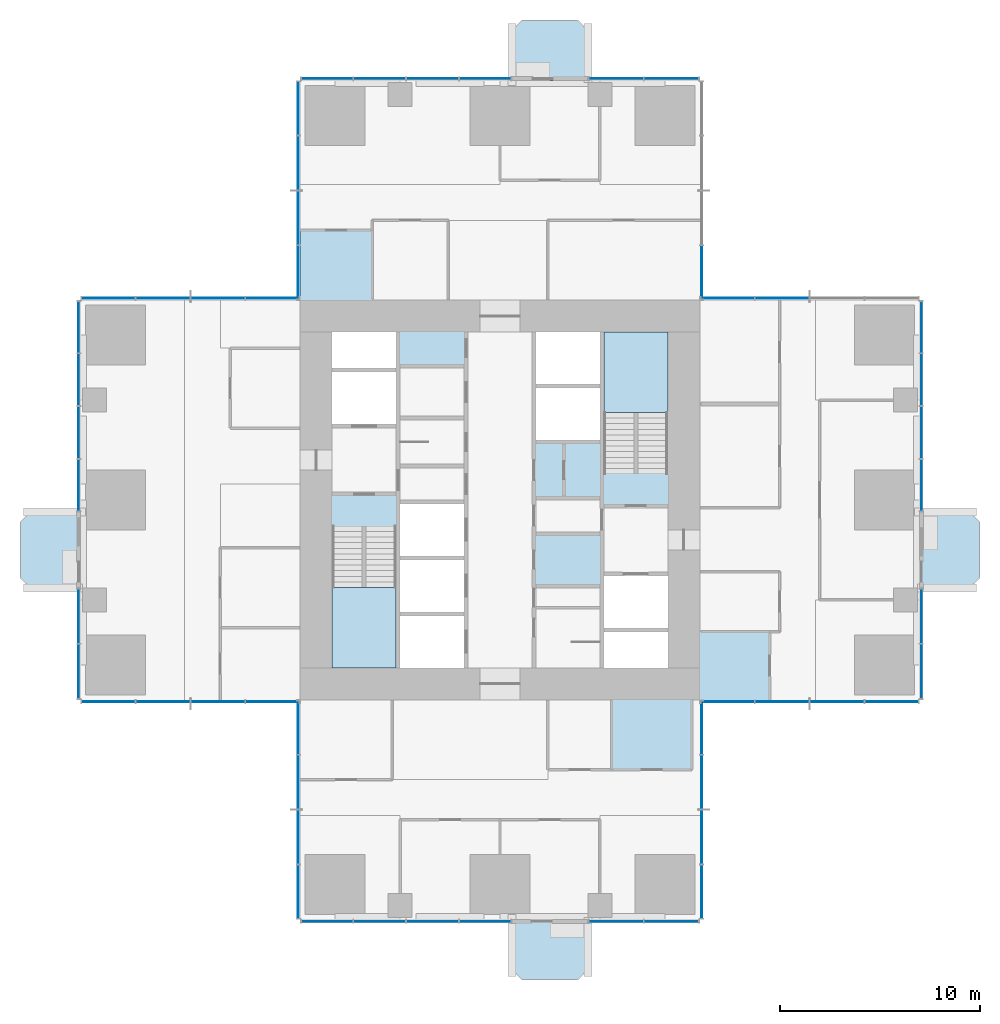
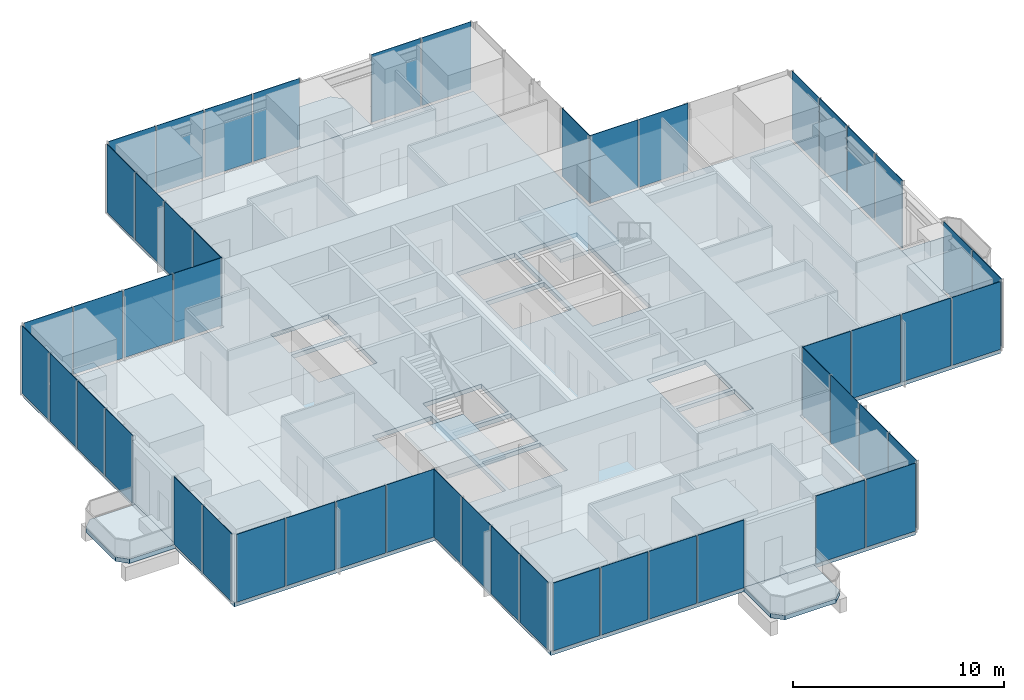
# One storey, part 7 of 13: 51 plates, 7 slabs, 18 elements without a shape of their own.
"""IFC4 building model written with IfcOpenShell, lengths in metres."""

from ifc_helpers import new_model, si_unit, direction, frame, origin, origin_2d, place, context, subcontext, project, spatial, polyline, rectangle, outline, extrude, material, layer, layer_set, type_object, element, aggregate, save


model = new_model("IFC4")

# Units and contexts
model_context = context("Model", 3, precision=1e-05, world=origin(), true_north=direction((0.0, 1.0)))
body_context = subcontext(model_context, "Body", "Model", "MODEL_VIEW")
ifc_project = project(units=[si_unit("LENGTHUNIT", "METRE"), si_unit("AREAUNIT", "SQUARE_METRE"), si_unit("VOLUMEUNIT", "CUBIC_METRE"), si_unit("PLANEANGLEUNIT", "RADIAN"), si_unit("MASSUNIT", "GRAM", prefix="KILO")], contexts=[model_context])

# Site, building, storey
site_placement = place(None, origin())
site = spatial("IfcSite", under=ifc_project, at=site_placement, CompositionType="ELEMENT")
building_placement = place(site_placement, origin())
building = spatial("IfcBuilding", under=site, at=building_placement, Name="Svetlomir Tower", CompositionType="ELEMENT")
storey_placement = place(building_placement, frame((0.0, 0.0, 120.5)))
storey = spatial("IfcBuildingStorey", under=building, at=storey_placement, Name="L28", CompositionType="ELEMENT", Elevation=120.5)

# Slabs
ifc_material_1 = material(Name="Concrete C60/75", Category="concrete")
ifc_layer_1 = layer(ifc_material_1, 0.25)
ifc_layer_set_1 = layer_set([ifc_layer_1], Name="Concrete C60/75")
slab_type_1 = type_object("IfcSlabType", Name="BALCONY SLAB 250", PredefinedType="FLOOR", material=ifc_layer_set_1)
slab_1_placement = place(storey_placement, frame((0.0, 0.0, -0.25)))
element("IfcSlab", 1, at=slab_1_placement, inside=storey, type_object=slab_type_1, Name="L28 S planted balcony", PredefinedType="FLOOR", context=body_context, shape_type="SweptSolid", body=[
    extrude(outline(polyline([(21.60009765625, -2.5), (22.10009765625, -3.0), (24.89990234375, -3.0), (25.39990234375, -2.5), (25.39990234375, 0.0), (21.60009765625, 0.0), (21.60009765625, -2.5)])), origin(), (0.0, 0.0, 1.0), 0.25),
])
slab_2_placement = place(storey_placement, frame((0.0, 0.0, -0.25)))
element("IfcSlab", 2, at=slab_2_placement, inside=storey, type_object=slab_type_1, Name="L28 E planted balcony", PredefinedType="FLOOR", context=body_context, shape_type="SweptSolid", body=[
    extrude(outline(polyline([(42.0, 16.60009765625), (44.5, 16.60009765625), (45.0, 17.10009765625), (45.0, 19.89990234375), (44.5, 20.39990234375), (42.0, 20.39990234375), (42.0, 16.60009765625)])), origin(), (0.0, 0.0, 1.0), 0.25),
])
slab_3_placement = place(storey_placement, frame((0.0, 0.0, -0.25)))
element("IfcSlab", 3, at=slab_3_placement, inside=storey, type_object=slab_type_1, Name="L28 N planted balcony", PredefinedType="FLOOR", context=body_context, shape_type="SweptSolid", body=[
    extrude(outline(polyline([(21.60009765625, 42.0), (25.39990234375, 42.0), (25.39990234375, 44.5), (24.89990234375, 45.0), (22.10009765625, 45.0), (21.60009765625, 44.5), (21.60009765625, 42.0)])), origin(), (0.0, 0.0, 1.0), 0.25),
])
slab_4_placement = place(storey_placement, frame((0.0, 0.0, -0.25)))
element("IfcSlab", 4, at=slab_4_placement, inside=storey, type_object=slab_type_1, Name="L28 W planted balcony", PredefinedType="FLOOR", context=body_context, shape_type="SweptSolid", body=[
    extrude(outline(polyline([(-2.5, 16.60009765625), (0.0, 16.60009765625), (0.0, 20.39990234375), (-2.5, 20.39990234375), (-3.0, 19.89990234375), (-3.0, 17.10009765625), (-2.5, 16.60009765625)])), origin(), (0.0, 0.0, 1.0), 0.25),
])

# Curtain wall, plates
ifc_material_2 = material(Name="Bronze anodised aluminium curtain wall", Category="aluminium")
curtain_wall_type = type_object("IfcCurtainWallType", Name="CURTAIN WALL CW1 TOWER OFFICE", PredefinedType="NOTDEFINED", material=ifc_material_2)
curtain_wall_1_placement = place(storey_placement, origin())
curtain_wall_1 = element("IfcCurtainWall", 5, at=curtain_wall_1_placement, inside=storey, type_object=curtain_wall_type, Name="Curtain wall CW1 L28", PredefinedType="NOTDEFINED")
ifc_material_3 = material(Name="Tinted double glazed unit", Category="glass")
ifc_layer_2 = layer(ifc_material_3, 0.031982421875)
ifc_layer_set_2 = layer_set([ifc_layer_2], Name="Tinted double glazed unit")
plate_type = type_object("IfcPlateType", Name="CW1 GLAZED PANEL 32", PredefinedType="CURTAIN_PANEL", material=ifc_layer_set_2)
plate_1_placement = place(storey_placement, frame((12.34130859375, -0.10009765625, 0.06494140625), z_axis=(0.0, 0.0, 1.0), x_axis=(1.0, 0.0, 0.0)))
plate_1 = element("IfcPlate", 6, at=plate_1_placement, type_object=plate_type, Name="CW1 panel 1.1", PredefinedType="CURTAIN_PANEL", context=body_context, shape_type="SweptSolid", body=[
    extrude(rectangle(XDim=2.552490234375, YDim=0.031982421875, at=origin_2d()), origin(), (0.0, 0.0, 1.0), 3.93505859375),
])
plate_2_placement = place(storey_placement, frame((14.97509765625, -0.10009765625, 0.06494140625), z_axis=(0.0, 0.0, 1.0), x_axis=(1.0, 0.0, 0.0)))
plate_2 = element("IfcPlate", 7, at=plate_2_placement, type_object=plate_type, Name="CW1 panel 2.1", PredefinedType="CURTAIN_PANEL", context=body_context, shape_type="SweptSolid", body=[
    extrude(rectangle(XDim=2.5849609375, YDim=0.031982421875, at=origin_2d()), origin(), (0.0, 0.0, 1.0), 3.93505859375),
])
plate_3_placement = place(storey_placement, frame((17.625, -0.10009765625, 0.06494140625), z_axis=(0.0, 0.0, 1.0), x_axis=(1.0, 0.0, 0.0)))
plate_3 = element("IfcPlate", 8, at=plate_3_placement, type_object=plate_type, Name="CW1 panel 3.1", PredefinedType="CURTAIN_PANEL", context=body_context, shape_type="SweptSolid", body=[
    extrude(rectangle(XDim=2.5849609375, YDim=0.031982421875, at=origin_2d()), origin(), (0.0, 0.0, 1.0), 3.93505859375),
])
plate_4_placement = place(storey_placement, frame((20.2587890625, -0.10009765625, 0.06494140625), z_axis=(0.0, 0.0, 1.0), x_axis=(1.0, 0.0, 0.0)))
plate_4 = element("IfcPlate", 9, at=plate_4_placement, type_object=plate_type, Name="CW1 panel 4.1", PredefinedType="CURTAIN_PANEL", context=body_context, shape_type="SweptSolid", body=[
    extrude(rectangle(XDim=2.552490234375, YDim=0.031982421875, at=origin_2d()), origin(), (0.0, 0.0, 1.0), 3.93505859375),
])
aggregate(curtain_wall_1, [plate_1, plate_2, plate_3, plate_4])

curtain_wall_2_placement = place(storey_placement, origin())
curtain_wall_2 = element("IfcCurtainWall", 10, at=curtain_wall_2_placement, inside=storey, type_object=curtain_wall_type, Name="Curtain wall CW1 L28", PredefinedType="NOTDEFINED")
plate_5_placement = place(storey_placement, frame((26.816162109375, -0.10009765625, 0.06494140625), z_axis=(0.0, 0.0, 1.0), x_axis=(1.0, 0.0, 0.0)))
plate_5 = element("IfcPlate", 11, at=plate_5_placement, type_object=plate_type, Name="CW1 panel 1.1", PredefinedType="CURTAIN_PANEL", context=body_context, shape_type="SweptSolid", body=[
    extrude(rectangle(XDim=2.702392578125, YDim=0.031982421875, at=origin_2d()), origin(), (0.0, 0.0, 1.0), 3.93505859375),
])
plate_6_placement = place(storey_placement, frame((29.583740234375, -0.10009765625, 0.06494140625), z_axis=(0.0, 0.0, 1.0), x_axis=(1.0, 0.0, 0.0)))
plate_6 = element("IfcPlate", 12, at=plate_6_placement, type_object=plate_type, Name="CW1 panel 2.1", PredefinedType="CURTAIN_PANEL", context=body_context, shape_type="SweptSolid", body=[
    extrude(rectangle(XDim=2.702392578125, YDim=0.031982421875, at=origin_2d()), origin(), (0.0, 0.0, 1.0), 3.93505859375),
])
aggregate(curtain_wall_2, [plate_5, plate_6])

curtain_wall_3_placement = place(storey_placement, origin())
curtain_wall_3 = element("IfcCurtainWall", 13, at=curtain_wall_3_placement, inside=storey, type_object=curtain_wall_type, Name="Curtain wall CW1 L28", PredefinedType="NOTDEFINED")
plate_7_placement = place(storey_placement, frame((31.10009765625, 1.391357421875, 0.06494140625), z_axis=(0.0, 0.0, 1.0), x_axis=(0.0, 1.0, 0.0)))
plate_7 = element("IfcPlate", 14, at=plate_7_placement, type_object=plate_type, Name="CW1 panel 1.1", PredefinedType="CURTAIN_PANEL", context=body_context, shape_type="SweptSolid", body=[
    extrude(rectangle(XDim=2.652587890625, YDim=0.031982421875, at=origin_2d()), origin(), (0.0, 0.0, 1.0), 3.93505859375),
])
plate_8_placement = place(storey_placement, frame((31.10009765625, 4.125, 0.06494140625), z_axis=(0.0, 0.0, 1.0), x_axis=(0.0, 1.0, 0.0)))
plate_8 = element("IfcPlate", 15, at=plate_8_placement, type_object=plate_type, Name="CW1 panel 2.1", PredefinedType="CURTAIN_PANEL", context=body_context, shape_type="SweptSolid", body=[
    extrude(rectangle(XDim=2.68505859375, YDim=0.031982421875, at=origin_2d()), origin(), (0.0, 0.0, 1.0), 3.93505859375),
])
plate_9_placement = place(storey_placement, frame((31.10009765625, 6.875, 0.06494140625), z_axis=(0.0, 0.0, 1.0), x_axis=(0.0, 1.0, 0.0)))
plate_9 = element("IfcPlate", 16, at=plate_9_placement, type_object=plate_type, Name="CW1 panel 3.1", PredefinedType="CURTAIN_PANEL", context=body_context, shape_type="SweptSolid", body=[
    extrude(rectangle(XDim=2.68505859375, YDim=0.031982421875, at=origin_2d()), origin(), (0.0, 0.0, 1.0), 3.93505859375),
])
plate_10_placement = place(storey_placement, frame((31.10009765625, 9.608642578125, 0.06494140625), z_axis=(0.0, 0.0, 1.0), x_axis=(0.0, 1.0, 0.0)))
plate_10 = element("IfcPlate", 17, at=plate_10_placement, type_object=plate_type, Name="CW1 panel 4.1", PredefinedType="CURTAIN_PANEL", context=body_context, shape_type="SweptSolid", body=[
    extrude(rectangle(XDim=2.652587890625, YDim=0.031982421875, at=origin_2d()), origin(), (0.0, 0.0, 1.0), 3.93505859375),
])
aggregate(curtain_wall_3, [plate_7, plate_8, plate_9, plate_10])

curtain_wall_4_placement = place(storey_placement, origin())
curtain_wall_4 = element("IfcCurtainWall", 18, at=curtain_wall_4_placement, inside=storey, type_object=curtain_wall_type, Name="Curtain wall CW1 L28", PredefinedType="NOTDEFINED")
plate_11_placement = place(storey_placement, frame((32.391357421875, 10.89990234375, 0.06494140625), z_axis=(0.0, 0.0, 1.0), x_axis=(1.0, 0.0, 0.0)))
plate_11 = element("IfcPlate", 19, at=plate_11_placement, type_object=plate_type, Name="CW1 panel 1.1", PredefinedType="CURTAIN_PANEL", context=body_context, shape_type="SweptSolid", body=[
    extrude(rectangle(XDim=2.652587890625, YDim=0.031982421875, at=origin_2d()), origin(), (0.0, 0.0, 1.0), 3.93505859375),
])
plate_12_placement = place(storey_placement, frame((35.125, 10.89990234375, 0.06494140625), z_axis=(0.0, 0.0, 1.0), x_axis=(1.0, 0.0, 0.0)))
plate_12 = element("IfcPlate", 20, at=plate_12_placement, type_object=plate_type, Name="CW1 panel 2.1", PredefinedType="CURTAIN_PANEL", context=body_context, shape_type="SweptSolid", body=[
    extrude(rectangle(XDim=2.68505859375, YDim=0.031982421875, at=origin_2d()), origin(), (0.0, 0.0, 1.0), 3.93505859375),
])
plate_13_placement = place(storey_placement, frame((37.875, 10.89990234375, 0.06494140625), z_axis=(0.0, 0.0, 1.0), x_axis=(1.0, 0.0, 0.0)))
plate_13 = element("IfcPlate", 21, at=plate_13_placement, type_object=plate_type, Name="CW1 panel 3.1", PredefinedType="CURTAIN_PANEL", context=body_context, shape_type="SweptSolid", body=[
    extrude(rectangle(XDim=2.68505859375, YDim=0.031982421875, at=origin_2d()), origin(), (0.0, 0.0, 1.0), 3.93505859375),
])
plate_14_placement = place(storey_placement, frame((40.608642578125, 10.89990234375, 0.06494140625), z_axis=(0.0, 0.0, 1.0), x_axis=(1.0, 0.0, 0.0)))
plate_14 = element("IfcPlate", 22, at=plate_14_placement, type_object=plate_type, Name="CW1 panel 4.1", PredefinedType="CURTAIN_PANEL", context=body_context, shape_type="SweptSolid", body=[
    extrude(rectangle(XDim=2.652587890625, YDim=0.031982421875, at=origin_2d()), origin(), (0.0, 0.0, 1.0), 3.93505859375),
])
aggregate(curtain_wall_4, [plate_11, plate_12, plate_13, plate_14])

curtain_wall_5_placement = place(storey_placement, origin())
curtain_wall_5 = element("IfcCurtainWall", 23, at=curtain_wall_5_placement, inside=storey, type_object=curtain_wall_type, Name="Curtain wall CW1 L28", PredefinedType="NOTDEFINED")
plate_15_placement = place(storey_placement, frame((42.10009765625, 12.416259765625, 0.06494140625), z_axis=(0.0, 0.0, 1.0), x_axis=(0.0, 1.0, 0.0)))
plate_15 = element("IfcPlate", 24, at=plate_15_placement, type_object=plate_type, Name="CW1 panel 1.1", PredefinedType="CURTAIN_PANEL", context=body_context, shape_type="SweptSolid", body=[
    extrude(rectangle(XDim=2.702392578125, YDim=0.031982421875, at=origin_2d()), origin(), (0.0, 0.0, 1.0), 3.93505859375),
])
plate_16_placement = place(storey_placement, frame((42.10009765625, 15.183837890625, 0.06494140625), z_axis=(0.0, 0.0, 1.0), x_axis=(0.0, 1.0, 0.0)))
plate_16 = element("IfcPlate", 25, at=plate_16_placement, type_object=plate_type, Name="CW1 panel 2.1", PredefinedType="CURTAIN_PANEL", context=body_context, shape_type="SweptSolid", body=[
    extrude(rectangle(XDim=2.702392578125, YDim=0.031982421875, at=origin_2d()), origin(), (0.0, 0.0, 1.0), 3.93505859375),
])
aggregate(curtain_wall_5, [plate_15, plate_16])

curtain_wall_6_placement = place(storey_placement, origin())
curtain_wall_6 = element("IfcCurtainWall", 26, at=curtain_wall_6_placement, inside=storey, type_object=curtain_wall_type, Name="Curtain wall CW1 L28", PredefinedType="NOTDEFINED")
plate_17_placement = place(storey_placement, frame((42.10009765625, 21.7412109375, 0.06494140625), z_axis=(0.0, 0.0, 1.0), x_axis=(0.0, 1.0, 0.0)))
plate_17 = element("IfcPlate", 27, at=plate_17_placement, type_object=plate_type, Name="CW1 panel 1.1", PredefinedType="CURTAIN_PANEL", context=body_context, shape_type="SweptSolid", body=[
    extrude(rectangle(XDim=2.552490234375, YDim=0.031982421875, at=origin_2d()), origin(), (0.0, 0.0, 1.0), 3.93505859375),
])
plate_18_placement = place(storey_placement, frame((42.10009765625, 24.375, 0.06494140625), z_axis=(0.0, 0.0, 1.0), x_axis=(0.0, 1.0, 0.0)))
plate_18 = element("IfcPlate", 28, at=plate_18_placement, type_object=plate_type, Name="CW1 panel 2.1", PredefinedType="CURTAIN_PANEL", context=body_context, shape_type="SweptSolid", body=[
    extrude(rectangle(XDim=2.5849609375, YDim=0.031982421875, at=origin_2d()), origin(), (0.0, 0.0, 1.0), 3.93505859375),
])
plate_19_placement = place(storey_placement, frame((42.10009765625, 27.02490234375, 0.06494140625), z_axis=(0.0, 0.0, 1.0), x_axis=(0.0, 1.0, 0.0)))
plate_19 = element("IfcPlate", 29, at=plate_19_placement, type_object=plate_type, Name="CW1 panel 3.1", PredefinedType="CURTAIN_PANEL", context=body_context, shape_type="SweptSolid", body=[
    extrude(rectangle(XDim=2.5849609375, YDim=0.031982421875, at=origin_2d()), origin(), (0.0, 0.0, 1.0), 3.93505859375),
])
plate_20_placement = place(storey_placement, frame((42.10009765625, 29.65869140625, 0.06494140625), z_axis=(0.0, 0.0, 1.0), x_axis=(0.0, 1.0, 0.0)))
plate_20 = element("IfcPlate", 30, at=plate_20_placement, type_object=plate_type, Name="CW1 panel 4.1", PredefinedType="CURTAIN_PANEL", context=body_context, shape_type="SweptSolid", body=[
    extrude(rectangle(XDim=2.552490234375, YDim=0.031982421875, at=origin_2d()), origin(), (0.0, 0.0, 1.0), 3.93505859375),
])
aggregate(curtain_wall_6, [plate_17, plate_18, plate_19, plate_20])

curtain_wall_7_placement = place(storey_placement, origin())
curtain_wall_7 = element("IfcCurtainWall", 31, at=curtain_wall_7_placement, inside=storey, type_object=curtain_wall_type, Name="Curtain wall CW1 L28", PredefinedType="NOTDEFINED")
plate_21_placement = place(storey_placement, frame((35.125, 31.10009765625, 0.06494140625), z_axis=(0.0, 0.0, 1.0), x_axis=(-1.0, 0.0, 0.0)))
plate_21 = element("IfcPlate", 32, at=plate_21_placement, type_object=plate_type, Name="CW1 panel 3.1", PredefinedType="CURTAIN_PANEL", context=body_context, shape_type="SweptSolid", body=[
    extrude(rectangle(XDim=2.68505859375, YDim=0.031982421875, at=origin_2d()), origin(), (0.0, 0.0, 1.0), 3.93505859375),
])
plate_22_placement = place(storey_placement, frame((32.391357421875, 31.10009765625, 0.06494140625), z_axis=(0.0, 0.0, 1.0), x_axis=(-1.0, 0.0, 0.0)))
plate_22 = element("IfcPlate", 33, at=plate_22_placement, type_object=plate_type, Name="CW1 panel 4.1", PredefinedType="CURTAIN_PANEL", context=body_context, shape_type="SweptSolid", body=[
    extrude(rectangle(XDim=2.652587890625, YDim=0.031982421875, at=origin_2d()), origin(), (0.0, 0.0, 1.0), 3.93505859375),
])
aggregate(curtain_wall_7, [plate_21, plate_22])

# Curtain wall, plate
curtain_wall_8_placement = place(storey_placement, origin())
curtain_wall_8 = element("IfcCurtainWall", 34, at=curtain_wall_8_placement, inside=storey, type_object=curtain_wall_type, Name="Curtain wall CW1 L28", PredefinedType="NOTDEFINED")
plate_23_placement = place(storey_placement, frame((31.10009765625, 32.391357421875, 0.06494140625), z_axis=(0.0, 0.0, 1.0), x_axis=(0.0, 1.0, 0.0)))
plate_23 = element("IfcPlate", 35, at=plate_23_placement, type_object=plate_type, Name="CW1 panel 1.1", PredefinedType="CURTAIN_PANEL", context=body_context, shape_type="SweptSolid", body=[
    extrude(rectangle(XDim=2.652587890625, YDim=0.031982421875, at=origin_2d()), origin(), (0.0, 0.0, 1.0), 3.93505859375),
])
aggregate(curtain_wall_8, [plate_23])

# Curtain wall, plates
curtain_wall_9_placement = place(storey_placement, origin())
curtain_wall_9 = element("IfcCurtainWall", 36, at=curtain_wall_9_placement, inside=storey, type_object=curtain_wall_type, Name="Curtain wall CW1 L28", PredefinedType="NOTDEFINED")
plate_24_placement = place(storey_placement, frame((29.583740234375, 42.10009765625, 0.06494140625), z_axis=(0.0, 0.0, 1.0), x_axis=(-1.0, 0.0, 0.0)))
plate_24 = element("IfcPlate", 37, at=plate_24_placement, type_object=plate_type, Name="CW1 panel 1.1", PredefinedType="CURTAIN_PANEL", context=body_context, shape_type="SweptSolid", body=[
    extrude(rectangle(XDim=2.702392578125, YDim=0.031982421875, at=origin_2d()), origin(), (0.0, 0.0, 1.0), 3.93505859375),
])
plate_25_placement = place(storey_placement, frame((26.816162109375, 42.10009765625, 0.06494140625), z_axis=(0.0, 0.0, 1.0), x_axis=(-1.0, 0.0, 0.0)))
plate_25 = element("IfcPlate", 38, at=plate_25_placement, type_object=plate_type, Name="CW1 panel 2.1", PredefinedType="CURTAIN_PANEL", context=body_context, shape_type="SweptSolid", body=[
    extrude(rectangle(XDim=2.702392578125, YDim=0.031982421875, at=origin_2d()), origin(), (0.0, 0.0, 1.0), 3.93505859375),
])
aggregate(curtain_wall_9, [plate_24, plate_25])

curtain_wall_10_placement = place(storey_placement, origin())
curtain_wall_10 = element("IfcCurtainWall", 39, at=curtain_wall_10_placement, inside=storey, type_object=curtain_wall_type, Name="Curtain wall CW1 L28", PredefinedType="NOTDEFINED")
plate_26_placement = place(storey_placement, frame((20.2587890625, 42.10009765625, 0.06494140625), z_axis=(0.0, 0.0, 1.0), x_axis=(-1.0, 0.0, 0.0)))
plate_26 = element("IfcPlate", 40, at=plate_26_placement, type_object=plate_type, Name="CW1 panel 1.1", PredefinedType="CURTAIN_PANEL", context=body_context, shape_type="SweptSolid", body=[
    extrude(rectangle(XDim=2.552490234375, YDim=0.031982421875, at=origin_2d()), origin(), (0.0, 0.0, 1.0), 3.93505859375),
])
plate_27_placement = place(storey_placement, frame((17.625, 42.10009765625, 0.06494140625), z_axis=(0.0, 0.0, 1.0), x_axis=(-1.0, 0.0, 0.0)))
plate_27 = element("IfcPlate", 41, at=plate_27_placement, type_object=plate_type, Name="CW1 panel 2.1", PredefinedType="CURTAIN_PANEL", context=body_context, shape_type="SweptSolid", body=[
    extrude(rectangle(XDim=2.5849609375, YDim=0.031982421875, at=origin_2d()), origin(), (0.0, 0.0, 1.0), 3.93505859375),
])
plate_28_placement = place(storey_placement, frame((14.97509765625, 42.10009765625, 0.06494140625), z_axis=(0.0, 0.0, 1.0), x_axis=(-1.0, 0.0, 0.0)))
plate_28 = element("IfcPlate", 42, at=plate_28_placement, type_object=plate_type, Name="CW1 panel 3.1", PredefinedType="CURTAIN_PANEL", context=body_context, shape_type="SweptSolid", body=[
    extrude(rectangle(XDim=2.5849609375, YDim=0.031982421875, at=origin_2d()), origin(), (0.0, 0.0, 1.0), 3.93505859375),
])
plate_29_placement = place(storey_placement, frame((12.34130859375, 42.10009765625, 0.06494140625), z_axis=(0.0, 0.0, 1.0), x_axis=(-1.0, 0.0, 0.0)))
plate_29 = element("IfcPlate", 43, at=plate_29_placement, type_object=plate_type, Name="CW1 panel 4.1", PredefinedType="CURTAIN_PANEL", context=body_context, shape_type="SweptSolid", body=[
    extrude(rectangle(XDim=2.552490234375, YDim=0.031982421875, at=origin_2d()), origin(), (0.0, 0.0, 1.0), 3.93505859375),
])
aggregate(curtain_wall_10, [plate_26, plate_27, plate_28, plate_29])

curtain_wall_11_placement = place(storey_placement, origin())
curtain_wall_11 = element("IfcCurtainWall", 44, at=curtain_wall_11_placement, inside=storey, type_object=curtain_wall_type, Name="Curtain wall CW1 L28", PredefinedType="NOTDEFINED")
plate_30_placement = place(storey_placement, frame((10.89990234375, 40.608642578125, 0.06494140625), z_axis=(0.0, 0.0, 1.0), x_axis=(0.0, -1.0, 0.0)))
plate_30 = element("IfcPlate", 45, at=plate_30_placement, type_object=plate_type, Name="CW1 panel 1.1", PredefinedType="CURTAIN_PANEL", context=body_context, shape_type="SweptSolid", body=[
    extrude(rectangle(XDim=2.652587890625, YDim=0.031982421875, at=origin_2d()), origin(), (0.0, 0.0, 1.0), 3.93505859375),
])
plate_31_placement = place(storey_placement, frame((10.89990234375, 37.875, 0.06494140625), z_axis=(0.0, 0.0, 1.0), x_axis=(0.0, -1.0, 0.0)))
plate_31 = element("IfcPlate", 46, at=plate_31_placement, type_object=plate_type, Name="CW1 panel 2.1", PredefinedType="CURTAIN_PANEL", context=body_context, shape_type="SweptSolid", body=[
    extrude(rectangle(XDim=2.68505859375, YDim=0.031982421875, at=origin_2d()), origin(), (0.0, 0.0, 1.0), 3.93505859375),
])
plate_32_placement = place(storey_placement, frame((10.89990234375, 35.125, 0.06494140625), z_axis=(0.0, 0.0, 1.0), x_axis=(0.0, -1.0, 0.0)))
plate_32 = element("IfcPlate", 47, at=plate_32_placement, type_object=plate_type, Name="CW1 panel 3.1", PredefinedType="CURTAIN_PANEL", context=body_context, shape_type="SweptSolid", body=[
    extrude(rectangle(XDim=2.68505859375, YDim=0.031982421875, at=origin_2d()), origin(), (0.0, 0.0, 1.0), 3.93505859375),
])
plate_33_placement = place(storey_placement, frame((10.89990234375, 32.391357421875, 0.06494140625), z_axis=(0.0, 0.0, 1.0), x_axis=(0.0, -1.0, 0.0)))
plate_33 = element("IfcPlate", 48, at=plate_33_placement, type_object=plate_type, Name="CW1 panel 4.1", PredefinedType="CURTAIN_PANEL", context=body_context, shape_type="SweptSolid", body=[
    extrude(rectangle(XDim=2.652587890625, YDim=0.031982421875, at=origin_2d()), origin(), (0.0, 0.0, 1.0), 3.93505859375),
])
aggregate(curtain_wall_11, [plate_30, plate_31, plate_32, plate_33])

curtain_wall_12_placement = place(storey_placement, origin())
curtain_wall_12 = element("IfcCurtainWall", 49, at=curtain_wall_12_placement, inside=storey, type_object=curtain_wall_type, Name="Curtain wall CW1 L28", PredefinedType="NOTDEFINED")
plate_34_placement = place(storey_placement, frame((9.608642578125, 31.10009765625, 0.06494140625), z_axis=(0.0, 0.0, 1.0), x_axis=(-1.0, 0.0, 0.0)))
plate_34 = element("IfcPlate", 50, at=plate_34_placement, type_object=plate_type, Name="CW1 panel 1.1", PredefinedType="CURTAIN_PANEL", context=body_context, shape_type="SweptSolid", body=[
    extrude(rectangle(XDim=2.652587890625, YDim=0.031982421875, at=origin_2d()), origin(), (0.0, 0.0, 1.0), 3.93505859375),
])
plate_35_placement = place(storey_placement, frame((6.875, 31.10009765625, 0.06494140625), z_axis=(0.0, 0.0, 1.0), x_axis=(-1.0, 0.0, 0.0)))
plate_35 = element("IfcPlate", 51, at=plate_35_placement, type_object=plate_type, Name="CW1 panel 2.1", PredefinedType="CURTAIN_PANEL", context=body_context, shape_type="SweptSolid", body=[
    extrude(rectangle(XDim=2.68505859375, YDim=0.031982421875, at=origin_2d()), origin(), (0.0, 0.0, 1.0), 3.93505859375),
])
plate_36_placement = place(storey_placement, frame((4.125, 31.10009765625, 0.06494140625), z_axis=(0.0, 0.0, 1.0), x_axis=(-1.0, 0.0, 0.0)))
plate_36 = element("IfcPlate", 52, at=plate_36_placement, type_object=plate_type, Name="CW1 panel 3.1", PredefinedType="CURTAIN_PANEL", context=body_context, shape_type="SweptSolid", body=[
    extrude(rectangle(XDim=2.68505859375, YDim=0.031982421875, at=origin_2d()), origin(), (0.0, 0.0, 1.0), 3.93505859375),
])
plate_37_placement = place(storey_placement, frame((1.391357421875, 31.10009765625, 0.06494140625), z_axis=(0.0, 0.0, 1.0), x_axis=(-1.0, 0.0, 0.0)))
plate_37 = element("IfcPlate", 53, at=plate_37_placement, type_object=plate_type, Name="CW1 panel 4.1", PredefinedType="CURTAIN_PANEL", context=body_context, shape_type="SweptSolid", body=[
    extrude(rectangle(XDim=2.652587890625, YDim=0.031982421875, at=origin_2d()), origin(), (0.0, 0.0, 1.0), 3.93505859375),
])
aggregate(curtain_wall_12, [plate_34, plate_35, plate_36, plate_37])

curtain_wall_13_placement = place(storey_placement, origin())
curtain_wall_13 = element("IfcCurtainWall", 54, at=curtain_wall_13_placement, inside=storey, type_object=curtain_wall_type, Name="Curtain wall CW1 L28", PredefinedType="NOTDEFINED")
plate_38_placement = place(storey_placement, frame((-0.10009765625, 29.65869140625, 0.06494140625), z_axis=(0.0, 0.0, 1.0), x_axis=(0.0, -1.0, 0.0)))
plate_38 = element("IfcPlate", 55, at=plate_38_placement, type_object=plate_type, Name="CW1 panel 1.1", PredefinedType="CURTAIN_PANEL", context=body_context, shape_type="SweptSolid", body=[
    extrude(rectangle(XDim=2.552490234375, YDim=0.031982421875, at=origin_2d()), origin(), (0.0, 0.0, 1.0), 3.93505859375),
])
plate_39_placement = place(storey_placement, frame((-0.10009765625, 27.02490234375, 0.06494140625), z_axis=(0.0, 0.0, 1.0), x_axis=(0.0, -1.0, 0.0)))
plate_39 = element("IfcPlate", 56, at=plate_39_placement, type_object=plate_type, Name="CW1 panel 2.1", PredefinedType="CURTAIN_PANEL", context=body_context, shape_type="SweptSolid", body=[
    extrude(rectangle(XDim=2.5849609375, YDim=0.031982421875, at=origin_2d()), origin(), (0.0, 0.0, 1.0), 3.93505859375),
])
plate_40_placement = place(storey_placement, frame((-0.10009765625, 24.375, 0.06494140625), z_axis=(0.0, 0.0, 1.0), x_axis=(0.0, -1.0, 0.0)))
plate_40 = element("IfcPlate", 57, at=plate_40_placement, type_object=plate_type, Name="CW1 panel 3.1", PredefinedType="CURTAIN_PANEL", context=body_context, shape_type="SweptSolid", body=[
    extrude(rectangle(XDim=2.5849609375, YDim=0.031982421875, at=origin_2d()), origin(), (0.0, 0.0, 1.0), 3.93505859375),
])
plate_41_placement = place(storey_placement, frame((-0.10009765625, 21.7412109375, 0.06494140625), z_axis=(0.0, 0.0, 1.0), x_axis=(0.0, -1.0, 0.0)))
plate_41 = element("IfcPlate", 58, at=plate_41_placement, type_object=plate_type, Name="CW1 panel 4.1", PredefinedType="CURTAIN_PANEL", context=body_context, shape_type="SweptSolid", body=[
    extrude(rectangle(XDim=2.552490234375, YDim=0.031982421875, at=origin_2d()), origin(), (0.0, 0.0, 1.0), 3.93505859375),
])
aggregate(curtain_wall_13, [plate_38, plate_39, plate_40, plate_41])

curtain_wall_14_placement = place(storey_placement, origin())
curtain_wall_14 = element("IfcCurtainWall", 59, at=curtain_wall_14_placement, inside=storey, type_object=curtain_wall_type, Name="Curtain wall CW1 L28", PredefinedType="NOTDEFINED")
plate_42_placement = place(storey_placement, frame((-0.10009765625, 15.183837890625, 0.06494140625), z_axis=(0.0, 0.0, 1.0), x_axis=(0.0, -1.0, 0.0)))
plate_42 = element("IfcPlate", 60, at=plate_42_placement, type_object=plate_type, Name="CW1 panel 1.1", PredefinedType="CURTAIN_PANEL", context=body_context, shape_type="SweptSolid", body=[
    extrude(rectangle(XDim=2.702392578125, YDim=0.031982421875, at=origin_2d()), origin(), (0.0, 0.0, 1.0), 3.93505859375),
])
plate_43_placement = place(storey_placement, frame((-0.10009765625, 12.416259765625, 0.06494140625), z_axis=(0.0, 0.0, 1.0), x_axis=(0.0, -1.0, 0.0)))
plate_43 = element("IfcPlate", 61, at=plate_43_placement, type_object=plate_type, Name="CW1 panel 2.1", PredefinedType="CURTAIN_PANEL", context=body_context, shape_type="SweptSolid", body=[
    extrude(rectangle(XDim=2.702392578125, YDim=0.031982421875, at=origin_2d()), origin(), (0.0, 0.0, 1.0), 3.93505859375),
])
aggregate(curtain_wall_14, [plate_42, plate_43])

curtain_wall_15_placement = place(storey_placement, origin())
curtain_wall_15 = element("IfcCurtainWall", 62, at=curtain_wall_15_placement, inside=storey, type_object=curtain_wall_type, Name="Curtain wall CW1 L28", PredefinedType="NOTDEFINED")
plate_44_placement = place(storey_placement, frame((1.391357421875, 10.89990234375, 0.06494140625), z_axis=(0.0, 0.0, 1.0), x_axis=(1.0, 0.0, 0.0)))
plate_44 = element("IfcPlate", 63, at=plate_44_placement, type_object=plate_type, Name="CW1 panel 1.1", PredefinedType="CURTAIN_PANEL", context=body_context, shape_type="SweptSolid", body=[
    extrude(rectangle(XDim=2.652587890625, YDim=0.031982421875, at=origin_2d()), origin(), (0.0, 0.0, 1.0), 3.93505859375),
])
plate_45_placement = place(storey_placement, frame((4.125, 10.89990234375, 0.06494140625), z_axis=(0.0, 0.0, 1.0), x_axis=(1.0, 0.0, 0.0)))
plate_45 = element("IfcPlate", 64, at=plate_45_placement, type_object=plate_type, Name="CW1 panel 2.1", PredefinedType="CURTAIN_PANEL", context=body_context, shape_type="SweptSolid", body=[
    extrude(rectangle(XDim=2.68505859375, YDim=0.031982421875, at=origin_2d()), origin(), (0.0, 0.0, 1.0), 3.93505859375),
])
plate_46_placement = place(storey_placement, frame((6.875, 10.89990234375, 0.06494140625), z_axis=(0.0, 0.0, 1.0), x_axis=(1.0, 0.0, 0.0)))
plate_46 = element("IfcPlate", 65, at=plate_46_placement, type_object=plate_type, Name="CW1 panel 3.1", PredefinedType="CURTAIN_PANEL", context=body_context, shape_type="SweptSolid", body=[
    extrude(rectangle(XDim=2.68505859375, YDim=0.031982421875, at=origin_2d()), origin(), (0.0, 0.0, 1.0), 3.93505859375),
])
plate_47_placement = place(storey_placement, frame((9.608642578125, 10.89990234375, 0.06494140625), z_axis=(0.0, 0.0, 1.0), x_axis=(1.0, 0.0, 0.0)))
plate_47 = element("IfcPlate", 66, at=plate_47_placement, type_object=plate_type, Name="CW1 panel 4.1", PredefinedType="CURTAIN_PANEL", context=body_context, shape_type="SweptSolid", body=[
    extrude(rectangle(XDim=2.652587890625, YDim=0.031982421875, at=origin_2d()), origin(), (0.0, 0.0, 1.0), 3.93505859375),
])
aggregate(curtain_wall_15, [plate_44, plate_45, plate_46, plate_47])

curtain_wall_16_placement = place(storey_placement, origin())
curtain_wall_16 = element("IfcCurtainWall", 67, at=curtain_wall_16_placement, inside=storey, type_object=curtain_wall_type, Name="Curtain wall CW1 L28", PredefinedType="NOTDEFINED")
plate_48_placement = place(storey_placement, frame((10.89990234375, 9.608642578125, 0.06494140625), z_axis=(0.0, 0.0, 1.0), x_axis=(0.0, -1.0, 0.0)))
plate_48 = element("IfcPlate", 68, at=plate_48_placement, type_object=plate_type, Name="CW1 panel 1.1", PredefinedType="CURTAIN_PANEL", context=body_context, shape_type="SweptSolid", body=[
    extrude(rectangle(XDim=2.652587890625, YDim=0.031982421875, at=origin_2d()), origin(), (0.0, 0.0, 1.0), 3.93505859375),
])
plate_49_placement = place(storey_placement, frame((10.89990234375, 6.875, 0.06494140625), z_axis=(0.0, 0.0, 1.0), x_axis=(0.0, -1.0, 0.0)))
plate_49 = element("IfcPlate", 69, at=plate_49_placement, type_object=plate_type, Name="CW1 panel 2.1", PredefinedType="CURTAIN_PANEL", context=body_context, shape_type="SweptSolid", body=[
    extrude(rectangle(XDim=2.68505859375, YDim=0.031982421875, at=origin_2d()), origin(), (0.0, 0.0, 1.0), 3.93505859375),
])
plate_50_placement = place(storey_placement, frame((10.89990234375, 4.125, 0.06494140625), z_axis=(0.0, 0.0, 1.0), x_axis=(0.0, -1.0, 0.0)))
plate_50 = element("IfcPlate", 70, at=plate_50_placement, type_object=plate_type, Name="CW1 panel 3.1", PredefinedType="CURTAIN_PANEL", context=body_context, shape_type="SweptSolid", body=[
    extrude(rectangle(XDim=2.68505859375, YDim=0.031982421875, at=origin_2d()), origin(), (0.0, 0.0, 1.0), 3.93505859375),
])
plate_51_placement = place(storey_placement, frame((10.89990234375, 1.391357421875, 0.06494140625), z_axis=(0.0, 0.0, 1.0), x_axis=(0.0, -1.0, 0.0)))
plate_51 = element("IfcPlate", 71, at=plate_51_placement, type_object=plate_type, Name="CW1 panel 4.1", PredefinedType="CURTAIN_PANEL", context=body_context, shape_type="SweptSolid", body=[
    extrude(rectangle(XDim=2.652587890625, YDim=0.031982421875, at=origin_2d()), origin(), (0.0, 0.0, 1.0), 3.93505859375),
])
aggregate(curtain_wall_16, [plate_48, plate_49, plate_50, plate_51])

# Slab
ifc_material_4 = material(Name="Concrete C60/75", Category="concrete")
ifc_layer_3 = layer(ifc_material_4, 0.25)
ifc_layer_set_3 = layer_set([ifc_layer_3], Name="Concrete C60/75")
slab_type_2 = type_object("IfcSlabType", Name="FLOOR SLAB 250", PredefinedType="FLOOR", material=ifc_layer_set_3)
slab_5_placement = place(storey_placement, frame((0.0, 0.0, -0.25)))
element("IfcSlab", 72, at=slab_5_placement, inside=storey, type_object=slab_type_2, Name="L28 floor slab", PredefinedType="FLOOR", context=body_context, shape_type="SweptSolid", body=[
    extrude(outline(polyline([(11.0, 0.0), (31.0, 0.0), (31.0, 11.0), (42.0, 11.0), (42.0, 31.0), (31.0, 31.0), (31.0, 42.0), (11.0, 42.0), (11.0, 31.0), (0.0, 31.0), (0.0, 11.0), (11.0, 11.0), (11.0, 0.0)]), holes=[polyline([(12.60009765625, 24.800048828125), (15.800048828125, 24.800048828125), (15.800048828125, 27.39990234375), (12.60009765625, 27.39990234375), (12.60009765625, 24.800048828125)]), polyline([(26.199951171875, 14.60009765625), (29.39990234375, 14.60009765625), (29.39990234375, 17.199951171875), (26.199951171875, 17.199951171875), (26.199951171875, 14.60009765625)]), polyline([(16.0, 12.60009765625), (19.199951171875, 12.60009765625), (19.199951171875, 15.199951171875), (16.0, 15.199951171875), (16.0, 12.60009765625)]), polyline([(16.0, 15.39990234375), (19.199951171875, 15.39990234375), (19.199951171875, 18.0), (16.0, 18.0), (16.0, 15.39990234375)]), polyline([(16.0, 18.199951171875), (19.199951171875, 18.199951171875), (19.199951171875, 20.800048828125), (16.0, 20.800048828125), (16.0, 18.199951171875)]), polyline([(22.800048828125, 24.0), (26.0, 24.0), (26.0, 26.60009765625), (22.800048828125, 26.60009765625), (22.800048828125, 24.0)]), polyline([(22.800048828125, 26.800048828125), (26.0, 26.800048828125), (26.0, 29.39990234375), (22.800048828125, 29.39990234375), (22.800048828125, 26.800048828125)]), polyline([(12.60009765625, 27.60009765625), (15.800048828125, 27.60009765625), (15.800048828125, 29.39990234375), (12.60009765625, 29.39990234375), (12.60009765625, 27.60009765625)]), polyline([(26.199951171875, 12.60009765625), (29.39990234375, 12.60009765625), (29.39990234375, 14.39990234375), (26.199951171875, 14.39990234375), (26.199951171875, 12.60009765625)]), polyline([(12.60009765625, 12.60009765625), (15.800048828125, 12.60009765625), (15.800048828125, 19.679931640625), (12.60009765625, 19.679931640625), (12.60009765625, 12.60009765625)]), polyline([(26.199951171875, 22.320068359375), (29.39990234375, 22.320068359375), (29.39990234375, 29.39990234375), (26.199951171875, 29.39990234375), (26.199951171875, 22.320068359375)])]), origin(), (0.0, 0.0, 1.0), 0.25),
])

# Stair, slab
ifc_material_5 = material(Name="Concrete C60/75", Category="concrete")
stair_type = type_object("IfcStairType", Name="EXIT STAIR 3200 RISE 4000", PredefinedType="HALF_TURN_STAIR", material=ifc_material_5)
stair_1_placement = place(storey_placement, origin())
stair_1 = element("IfcStair", 73, at=stair_1_placement, inside=storey, type_object=stair_type, Name="Stair S1 L28 to L29", PredefinedType="HALF_TURN_STAIR")
ifc_material_6 = material(Name="Concrete C60/75", Category="concrete")
ifc_layer_4 = layer(ifc_material_6, 0.199951171875)
ifc_layer_set_4 = layer_set([ifc_layer_4], Name="Concrete C60/75")
slab_type_3 = type_object("IfcSlabType", Name="STAIR LANDING 200", PredefinedType="LANDING", material=ifc_layer_set_4)
slab_6_placement = place(storey_placement, frame((0.0, 0.0, 1.800048828125)))
slab_6 = element("IfcSlab", 74, at=slab_6_placement, type_object=slab_type_3, Name="S1 landing 1", PredefinedType="LANDING", context=body_context, shape_type="SweptSolid", body=[
    extrude(outline(polyline([(12.60009765625, 12.60009765625), (15.800048828125, 12.60009765625), (15.800048828125, 16.6201171875), (12.60009765625, 16.6201171875), (12.60009765625, 12.60009765625)])), origin(), (0.0, 0.0, 1.0), 0.199951171875),
])
aggregate(stair_1, [slab_6])

stair_2_placement = place(storey_placement, origin())
stair_2 = element("IfcStair", 75, at=stair_2_placement, inside=storey, type_object=stair_type, Name="Stair S2 L28 to L29", PredefinedType="HALF_TURN_STAIR")
slab_7_placement = place(storey_placement, frame((0.0, 0.0, 1.800048828125)))
slab_7 = element("IfcSlab", 76, at=slab_7_placement, type_object=slab_type_3, Name="S2 landing 1", PredefinedType="LANDING", context=body_context, shape_type="SweptSolid", body=[
    extrude(outline(polyline([(26.199951171875, 25.3798828125), (29.39990234375, 25.3798828125), (29.39990234375, 29.39990234375), (26.199951171875, 29.39990234375), (26.199951171875, 25.3798828125)])), origin(), (0.0, 0.0, 1.0), 0.199951171875),
])
aggregate(stair_2, [slab_7])

save(model, "model.ifc")
